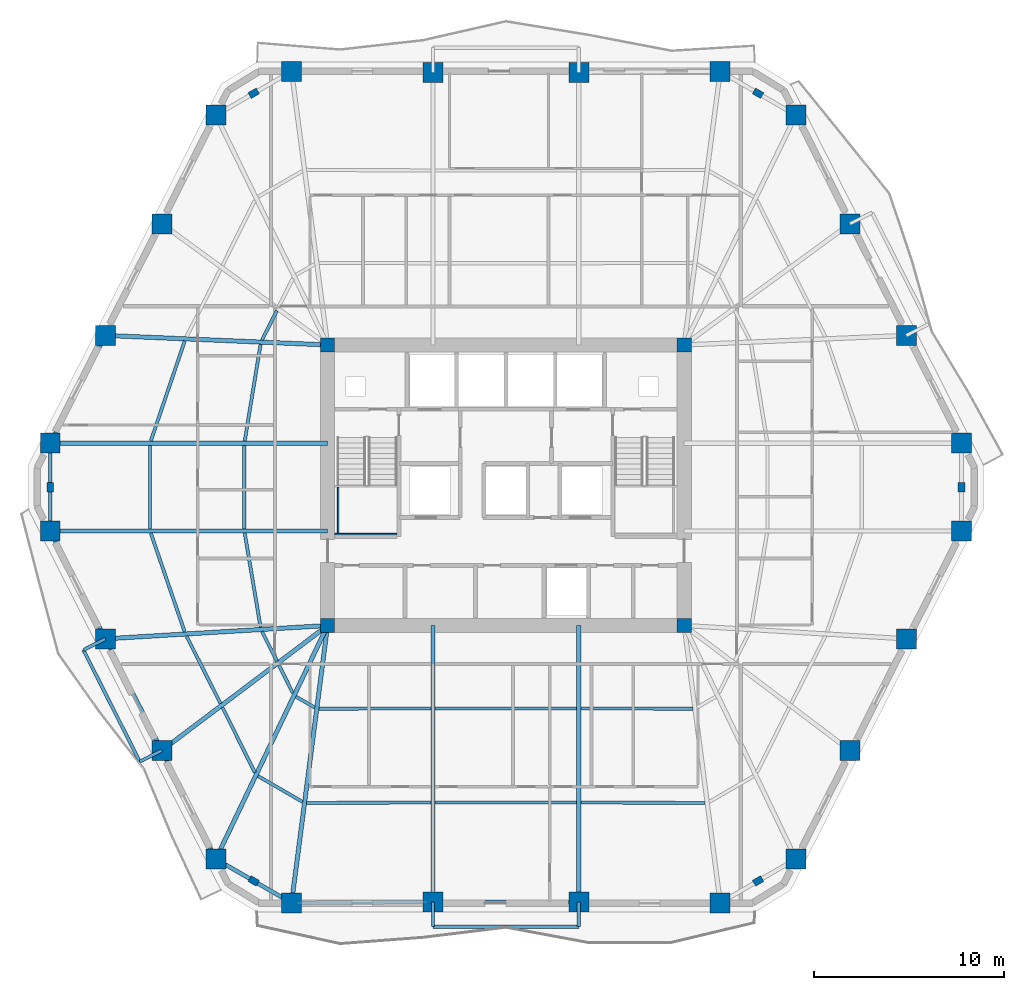
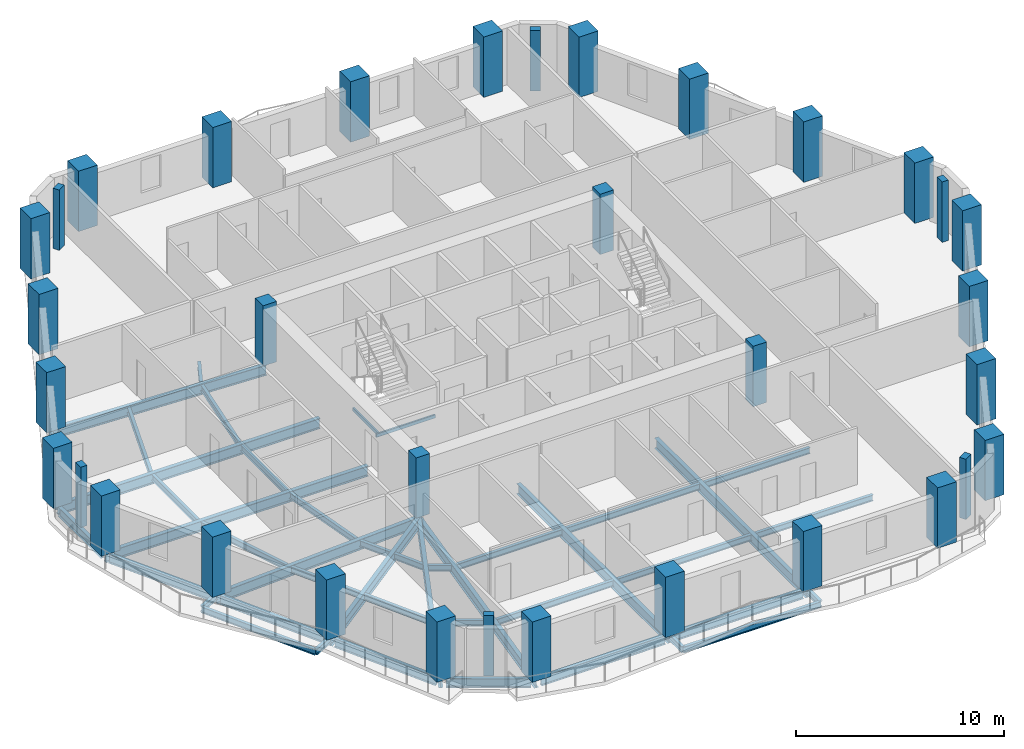
# One storey, part 1 of 11: 44 beams, 34 columns.
"""IFC4 building model written with IfcOpenShell, lengths in metres."""

from ifc_helpers import new_model, si_unit, direction, frame, origin, origin_2d, place, context, subcontext, project, spatial, rectangle, hollow_rectangle, i_section, extrude, material, material_profile, profile_set, type_object, element, save


model = new_model("IFC4")

# Units and contexts
model_context = context("Model", 3, precision=1e-05, world=origin(), true_north=direction((0.0, 1.0)))
body_context = subcontext(model_context, "Body", "Model", "MODEL_VIEW")
ifc_project = project(units=[si_unit("LENGTHUNIT", "METRE"), si_unit("AREAUNIT", "SQUARE_METRE"), si_unit("VOLUMEUNIT", "CUBIC_METRE"), si_unit("PLANEANGLEUNIT", "RADIAN"), si_unit("MASSUNIT", "GRAM", prefix="KILO")], contexts=[model_context])

# Site, building, storey
site_placement = place(None, origin())
site = spatial("IfcSite", under=ifc_project, at=site_placement, CompositionType="ELEMENT")
building_placement = place(site_placement, origin())
building = spatial("IfcBuilding", under=site, at=building_placement, Name="Cinnabar Lancet Tower", CompositionType="ELEMENT")
storey_placement = place(building_placement, frame((0.0, 0.0, 130.35009765625)))
storey = spatial("IfcBuildingStorey", under=building, at=storey_placement, Name="L34", CompositionType="ELEMENT", Elevation=130.35009765625)

# Columns
ifc_material_1 = material(Name="Concrete C70/85", Category="concrete")
ifc_material_profile_1 = material_profile(ifc_material_1, rectangle(XDim=0.75, YDim=0.75, at=origin_2d()), Name="RC-COL 750x750")
ifc_profile_set_1 = profile_set([ifc_material_profile_1], Name="Concrete C70/85")
column_type_1 = type_object("IfcColumnType", Name="STR-COL-CORE-750", PredefinedType="COLUMN", material=ifc_profile_set_1)
for number, where, z_axis, x_axis, name in (
    (1, (23.02490234375, 18.52490234375, 0.0), (0.0, 0.0, 1.0), (1.0, 0.0, 0.0), "L34 Core Corner Column SW"),
    (2, (41.77490234375, 18.52490234375, 0.0), (0.0, 0.0, 1.0), (1.0, 0.0, 0.0), "L34 Core Corner Column SE"),
    (3, (41.77490234375, 33.27490234375, 0.0), (0.0, 0.0, 1.0), (1.0, 0.0, 0.0), "L34 Core Corner Column NE"),
    (4, (23.02490234375, 33.27490234375, 0.0), (0.0, 0.0, 1.0), (1.0, 0.0, 0.0), "L34 Core Corner Column NW"),
):
    element("IfcColumn", number, at=place(storey_placement, frame(where, z_axis=z_axis, x_axis=x_axis)), inside=storey, type_object=column_type_1, Name=name, PredefinedType="COLUMN", context=body_context, shape_type="SweptSolid", body=[
        extrude(rectangle(XDim=0.75, YDim=0.75, at=origin_2d()), origin(), (0.0, 0.0, 1.0), 3.5498046875),
    ])
ifc_material_2 = material(Name="Concrete C60/75", Category="concrete")
ifc_material_profile_2 = material_profile(ifc_material_2, rectangle(XDim=0.5, YDim=0.35009765625, at=origin_2d()), Name="RC-PIL 500x350")
ifc_profile_set_2 = profile_set([ifc_material_profile_2], Name="Concrete C60/75")
column_type_2 = type_object("IfcColumnType", Name="STR-COL-PIL-500", PredefinedType="PILASTER", material=ifc_profile_set_2)
for number, where, z_axis, x_axis, name in (
    (5, (19.14111328125, 5.093017578125, 0.0), (0.0, 0.0, 1.0), (0.865160173452, -0.501495637342, 0.0), "L34 Chamfered Corner Pilaster 1"),
    (6, (45.658935546875, 5.093017578125, 0.0), (0.0, 0.0, 1.0), (0.865160173452, 0.501495637342, 0.0), "L34 Chamfered Corner Pilaster 2"),
    (7, (56.35693359375, 25.800048828125, 0.0), (0.0, 0.0, 1.0), (0.0, 1.0, 0.0), "L34 Chamfered Corner Pilaster 3"),
    (8, (45.658935546875, 46.508056640625, 0.0), (0.0, 0.0, 1.0), (-0.865160173452, 0.501495637342, 0.0), "L34 Chamfered Corner Pilaster 4"),
    (9, (19.14111328125, 46.508056640625, 0.0), (0.0, 0.0, 1.0), (-0.865160173452, -0.501495637342, 0.0), "L34 Chamfered Corner Pilaster 5"),
    (10, (8.443115234375, 25.800048828125, 0.0), (0.0, 0.0, 1.0), (0.0, -1.0, 0.0), "L34 Chamfered Corner Pilaster 6"),
):
    element("IfcColumn", number, at=place(storey_placement, frame(where, z_axis=z_axis, x_axis=x_axis)), inside=storey, type_object=column_type_2, Name=name, PredefinedType="PILASTER", context=body_context, shape_type="SweptSolid", body=[
        extrude(rectangle(XDim=0.5, YDim=0.35009765625, at=origin_2d()), origin(), (0.0, 0.0, 1.0), 3.5498046875),
    ])
ifc_material_3 = material(Name="Concrete C70/85", Category="concrete")
ifc_material_profile_3 = material_profile(ifc_material_3, rectangle(XDim=1.050048828125, YDim=1.050048828125, at=origin_2d()), Name="RC-COL 1050x1050")
ifc_profile_set_3 = profile_set([ifc_material_profile_3], Name="Concrete C70/85")
column_type_3 = type_object("IfcColumnType", Name="STR-COL-TUBE-1050", PredefinedType="COLUMN", material=ifc_profile_set_3)
for number, where, z_axis, x_axis, name in (
    (11, (21.131103515625, 3.93896484375, 0.0), (0.0, 0.0, 1.0), (1.0, 0.0, 0.0), "L34 Perimeter Tube Column 1"),
    (12, (28.568115234375, 3.991943359375, 0.0), (0.0, 0.0, 1.0), (1.0, 0.0, 0.0), "L34 Perimeter Tube Column 2"),
    (13, (36.23193359375, 3.991943359375, 0.0), (0.0, 0.0, 1.0), (1.0, 0.0, 0.0), "L34 Perimeter Tube Column 3"),
    (14, (43.6689453125, 3.93896484375, 0.0), (0.0, 0.0, 1.0), (1.0, 0.0, 0.0), "L34 Perimeter Tube Column 4"),
    (15, (47.64892578125, 6.24609375, 0.0), (0.0, 0.0, 1.0), (1.0, 0.0, 0.0), "L34 Perimeter Tube Column 5"),
    (16, (50.489013671875, 11.955078125, 0.0), (0.0, 0.0, 1.0), (1.0, 0.0, 0.0), "L34 Perimeter Tube Column 6"),
    (17, (53.451904296875, 17.823974609375, 0.0), (0.0, 0.0, 1.0), (1.0, 0.0, 0.0), "L34 Perimeter Tube Column 7"),
    (18, (56.35693359375, 23.490966796875, 0.0), (0.0, 0.0, 1.0), (1.0, 0.0, 0.0), "L34 Perimeter Tube Column 8"),
    (19, (56.35693359375, 28.10888671875, 0.0), (0.0, 0.0, 1.0), (1.0, 0.0, 0.0), "L34 Perimeter Tube Column 9"),
    (20, (53.451904296875, 33.77587890625, 0.0), (0.0, 0.0, 1.0), (1.0, 0.0, 0.0), "L34 Perimeter Tube Column 10"),
    (21, (50.489013671875, 39.64501953125, 0.0), (0.0, 0.0, 1.0), (1.0, 0.0, 0.0), "L34 Perimeter Tube Column 11"),
    (22, (47.64892578125, 45.35400390625, 0.0), (0.0, 0.0, 1.0), (1.0, 0.0, 0.0), "L34 Perimeter Tube Column 12"),
    (23, (43.6689453125, 47.660888671875, 0.0), (0.0, 0.0, 1.0), (1.0, 0.0, 0.0), "L34 Perimeter Tube Column 13"),
    (24, (36.23193359375, 47.60791015625, 0.0), (0.0, 0.0, 1.0), (1.0, 0.0, 0.0), "L34 Perimeter Tube Column 14"),
    (25, (28.568115234375, 47.60791015625, 0.0), (0.0, 0.0, 1.0), (1.0, 0.0, 0.0), "L34 Perimeter Tube Column 15"),
    (26, (21.131103515625, 47.660888671875, 0.0), (0.0, 0.0, 1.0), (1.0, 0.0, 0.0), "L34 Perimeter Tube Column 16"),
    (27, (17.15087890625, 45.35400390625, 0.0), (0.0, 0.0, 1.0), (1.0, 0.0, 0.0), "L34 Perimeter Tube Column 17"),
    (28, (14.31103515625, 39.64501953125, 0.0), (0.0, 0.0, 1.0), (1.0, 0.0, 0.0), "L34 Perimeter Tube Column 18"),
    (29, (11.347900390625, 33.77587890625, 0.0), (0.0, 0.0, 1.0), (1.0, 0.0, 0.0), "L34 Perimeter Tube Column 19"),
    (30, (8.443115234375, 28.10888671875, 0.0), (0.0, 0.0, 1.0), (1.0, 0.0, 0.0), "L34 Perimeter Tube Column 20"),
    (31, (8.443115234375, 23.490966796875, 0.0), (0.0, 0.0, 1.0), (1.0, 0.0, 0.0), "L34 Perimeter Tube Column 21"),
    (32, (11.347900390625, 17.823974609375, 0.0), (0.0, 0.0, 1.0), (1.0, 0.0, 0.0), "L34 Perimeter Tube Column 22"),
    (33, (14.31103515625, 11.955078125, 0.0), (0.0, 0.0, 1.0), (1.0, 0.0, 0.0), "L34 Perimeter Tube Column 23"),
    (34, (17.15087890625, 6.24609375, 0.0), (0.0, 0.0, 1.0), (1.0, 0.0, 0.0), "L34 Perimeter Tube Column 24"),
):
    element("IfcColumn", number, at=place(storey_placement, frame(where, z_axis=z_axis, x_axis=x_axis)), inside=storey, type_object=column_type_3, Name=name, PredefinedType="COLUMN", context=body_context, shape_type="SweptSolid", body=[
        extrude(rectangle(XDim=1.050048828125, YDim=1.050048828125, at=origin_2d()), origin(), (0.0, 0.0, 1.0), 3.5498046875),
    ])

# Beams
ifc_material_4 = material(Name="Structural steel S355", Category="steel")
ifc_material_profile_4 = material_profile(ifc_material_4, i_section(OverallWidth=0.17138671875, OverallDepth=0.35498046875, WebThickness=0.00732421875, FlangeThickness=0.011474609375, FilletRadius=0.01025390625, at=origin_2d()), Name="UKB 356x171x51")
ifc_profile_set_4 = profile_set([ifc_material_profile_4], Name="Structural steel S355")
beam_type_1 = type_object("IfcBeamType", Name="STR-BM-JST-356", PredefinedType="JOIST", material=ifc_profile_set_4)
beam_1_placement = place(storey_placement, frame((13.73193359375, 23.376953125, -0.38818359375), z_axis=(0.324639458548, -0.945837841257, 0.0), x_axis=(0.945837841257, 0.324639458548, 0.0)))
element("IfcBeam", 35, at=beam_1_placement, inside=storey, type_object=beam_type_1, Name="L34 Secondary Floor Joist 1", PredefinedType="JOIST", context=body_context, shape_type="SweptSolid", body=[
    extrude(i_section(OverallWidth=0.17138671875, OverallDepth=0.35498046875, WebThickness=0.00732421875, FlangeThickness=0.011474609375, FilletRadius=0.01025390625, at=origin_2d()), origin(), (0.0, 0.0, 1.0), 5.486083984375),
])
beam_2_placement = place(storey_placement, frame((18.669921875, 23.376953125, -0.38818359375), z_axis=(0.165984412241, -0.986128376477, 0.0), x_axis=(0.986128376477, 0.165984412241, 0.0)))
element("IfcBeam", 36, at=beam_2_placement, inside=storey, type_object=beam_type_1, Name="L34 Secondary Floor Joist 2", PredefinedType="JOIST", context=body_context, shape_type="SweptSolid", body=[
    extrude(i_section(OverallWidth=0.17138671875, OverallDepth=0.35498046875, WebThickness=0.00732421875, FlangeThickness=0.011474609375, FilletRadius=0.01025390625, at=origin_2d()), origin(), (0.0, 0.0, 1.0), 5.0185546875),
])
beam_3_placement = place(storey_placement, frame((15.60791015625, 17.965087890625, -0.38818359375), z_axis=(0.450755070916, -0.892647671841, 0.0), x_axis=(0.892647671841, 0.450755070916, 0.0)))
element("IfcBeam", 37, at=beam_3_placement, inside=storey, type_object=beam_type_1, Name="L34 Secondary Floor Joist 3", PredefinedType="JOIST", context=body_context, shape_type="SweptSolid", body=[
    extrude(i_section(OverallWidth=0.17138671875, OverallDepth=0.35498046875, WebThickness=0.00732421875, FlangeThickness=0.011474609375, FilletRadius=0.01025390625, at=origin_2d()), origin(), (0.0, 0.0, 1.0), 3.966796875),
])
beam_4_placement = place(storey_placement, frame((19.577880859375, 18.2041015625, -0.38818359375), z_axis=(0.450874341268, -0.892587434589, 0.0), x_axis=(0.892587434589, 0.450874341268, 0.0)))
element("IfcBeam", 38, at=beam_4_placement, inside=storey, type_object=beam_type_1, Name="L34 Secondary Floor Joist 4", PredefinedType="JOIST", context=body_context, shape_type="SweptSolid", body=[
    extrude(i_section(OverallWidth=0.17138671875, OverallDepth=0.35498046875, WebThickness=0.00732421875, FlangeThickness=0.011474609375, FilletRadius=0.01025390625, at=origin_2d()), origin(), (0.0, 0.0, 1.0), 1.732177734375),
])
beam_5_placement = place(storey_placement, frame((17.5, 14.216064453125, -0.38818359375), z_axis=(0.445295120803, -0.895383859241, 0.0), x_axis=(0.895383859241, 0.445295120803, 0.0)))
element("IfcBeam", 39, at=beam_5_placement, inside=storey, type_object=beam_type_1, Name="L34 Secondary Floor Joist 5", PredefinedType="JOIST", context=body_context, shape_type="SweptSolid", body=[
    extrude(i_section(OverallWidth=0.17138671875, OverallDepth=0.35498046875, WebThickness=0.00732421875, FlangeThickness=0.011474609375, FilletRadius=0.01025390625, at=origin_2d()), origin(), (0.0, 0.0, 1.0), 3.81982421875),
])
beam_6_placement = place(storey_placement, frame((20.4619140625, 16.449951171875, -0.38818359375), z_axis=(0.445557690111, -0.895253229418, 0.0), x_axis=(0.895253229418, 0.445557690111, 0.0)))
element("IfcBeam", 40, at=beam_6_placement, inside=storey, type_object=beam_type_1, Name="L34 Secondary Floor Joist 6", PredefinedType="JOIST", context=body_context, shape_type="SweptSolid", body=[
    extrude(i_section(OverallWidth=0.17138671875, OverallDepth=0.35498046875, WebThickness=0.00732421875, FlangeThickness=0.011474609375, FilletRadius=0.01025390625, at=origin_2d()), origin(), (0.0, 0.0, 1.0), 1.652099609375),
])
beam_7_placement = place(storey_placement, frame((19.364990234375, 10.60888671875, -0.38818359375), z_axis=(0.865172906898, -0.501473669469, 0.0), x_axis=(0.501473669469, 0.865172906898, 0.0)))
element("IfcBeam", 41, at=beam_7_placement, inside=storey, type_object=beam_type_1, Name="L34 Secondary Floor Joist 7", PredefinedType="JOIST", context=body_context, shape_type="SweptSolid", body=[
    extrude(i_section(OverallWidth=0.17138671875, OverallDepth=0.35498046875, WebThickness=0.00732421875, FlangeThickness=0.011474609375, FilletRadius=0.01025390625, at=origin_2d()), origin(), (0.0, 0.0, 1.0), 2.705810546875),
])
beam_8_placement = place(storey_placement, frame((21.362060546875, 14.783935546875, -0.38818359375), z_axis=(0.865055308165, -0.501676503154, 0.0), x_axis=(0.501676503154, 0.865055308165, 0.0)))
element("IfcBeam", 42, at=beam_8_placement, inside=storey, type_object=beam_type_1, Name="L34 Secondary Floor Joist 8", PredefinedType="JOIST", context=body_context, shape_type="SweptSolid", body=[
    extrude(i_section(OverallWidth=0.17138671875, OverallDepth=0.35498046875, WebThickness=0.00732421875, FlangeThickness=0.011474609375, FilletRadius=0.01025390625, at=origin_2d()), origin(), (0.0, 0.0, 1.0), 1.14208984375),
])
beam_9_placement = place(storey_placement, frame((21.927978515625, 9.19091796875, -0.38818359375), z_axis=(0.999987991898, 0.004900618269, 0.0), x_axis=(-0.004900618269, 0.999987991898, 0.0)))
element("IfcBeam", 43, at=beam_9_placement, inside=storey, type_object=beam_type_1, Name="L34 Secondary Floor Joist 9", PredefinedType="JOIST", context=body_context, shape_type="SweptSolid", body=[
    extrude(i_section(OverallWidth=0.17138671875, OverallDepth=0.35498046875, WebThickness=0.00732421875, FlangeThickness=0.011474609375, FilletRadius=0.01025390625, at=origin_2d()), origin(), (0.0, 0.0, 1.0), 6.526123046875),
])
beam_10_placement = place(storey_placement, frame((22.572021484375, 14.14892578125, -0.38818359375), z_axis=(0.999996247906, 0.002739374605, 0.0), x_axis=(-0.002739374605, 0.999996247906, 0.0)))
element("IfcBeam", 44, at=beam_10_placement, inside=storey, type_object=beam_type_1, Name="L34 Secondary Floor Joist 10", PredefinedType="JOIST", context=body_context, shape_type="SweptSolid", body=[
    extrude(i_section(OverallWidth=0.17138671875, OverallDepth=0.35498046875, WebThickness=0.00732421875, FlangeThickness=0.011474609375, FilletRadius=0.01025390625, at=origin_2d()), origin(), (0.0, 0.0, 1.0), 5.882080078125),
])
for number, where, z_axis, x_axis, name in (
    (45, (28.681884765625, 9.22412109375, -0.38818359375), (1.0, 0.0, 0.0), (0.0, 1.0, 0.0), "L34 Secondary Floor Joist 11"),
    (46, (28.681884765625, 14.1650390625, -0.38818359375), (1.0, 0.0, 0.0), (0.0, 1.0, 0.0), "L34 Secondary Floor Joist 12"),
):
    element("IfcBeam", number, at=place(storey_placement, frame(where, z_axis=z_axis, x_axis=x_axis)), inside=storey, type_object=beam_type_1, Name=name, PredefinedType="JOIST", context=body_context, shape_type="SweptSolid", body=[
        extrude(i_section(OverallWidth=0.17138671875, OverallDepth=0.35498046875, WebThickness=0.00732421875, FlangeThickness=0.011474609375, FilletRadius=0.01025390625, at=origin_2d()), origin(), (0.0, 0.0, 1.0), 7.43603515625),
    ])
beam_11_placement = place(storey_placement, frame((36.345947265625, 9.222900390625, -0.38818359375), z_axis=(0.999987991898, -0.004900618269, 0.0), x_axis=(0.004900618269, 0.999987991898, 0.0)))
element("IfcBeam", 47, at=beam_11_placement, inside=storey, type_object=beam_type_1, Name="L34 Secondary Floor Joist 13", PredefinedType="JOIST", context=body_context, shape_type="SweptSolid", body=[
    extrude(i_section(OverallWidth=0.17138671875, OverallDepth=0.35498046875, WebThickness=0.00732421875, FlangeThickness=0.011474609375, FilletRadius=0.01025390625, at=origin_2d()), origin(), (0.0, 0.0, 1.0), 6.526123046875),
])
beam_12_placement = place(storey_placement, frame((36.345947265625, 14.1650390625, -0.38818359375), z_axis=(0.999996247906, -0.002739374605, 0.0), x_axis=(0.002739374605, 0.999996247906, 0.0)))
element("IfcBeam", 48, at=beam_12_placement, inside=storey, type_object=beam_type_1, Name="L34 Secondary Floor Joist 14", PredefinedType="JOIST", context=body_context, shape_type="SweptSolid", body=[
    extrude(i_section(OverallWidth=0.17138671875, OverallDepth=0.35498046875, WebThickness=0.00732421875, FlangeThickness=0.011474609375, FilletRadius=0.01025390625, at=origin_2d()), origin(), (0.0, 0.0, 1.0), 5.882080078125),
])
beam_13_placement = place(storey_placement, frame((20.35888671875, 35.0830078125, -0.38818359375), z_axis=(-0.450931068976, -0.892558777354, 0.0), x_axis=(0.892558777354, -0.450931068976, 0.0)))
element("IfcBeam", 49, at=beam_13_placement, inside=storey, type_object=beam_type_1, Name="L34 Secondary Floor Joist 44", PredefinedType="JOIST", context=body_context, shape_type="SweptSolid", body=[
    extrude(i_section(OverallWidth=0.17138671875, OverallDepth=0.35498046875, WebThickness=0.00732421875, FlangeThickness=0.011474609375, FilletRadius=0.01025390625, at=origin_2d()), origin(), (0.0, 0.0, 1.0), 1.73193359375),
])
beam_14_placement = place(storey_placement, frame((15.513916015625, 33.48291015625, -0.38818359375), z_axis=(-0.321023911172, -0.947071089442, 0.0), x_axis=(0.947071089442, -0.321023911172, 0.0)))
element("IfcBeam", 50, at=beam_14_placement, inside=storey, type_object=beam_type_1, Name="L34 Secondary Floor Joist 45", PredefinedType="JOIST", context=body_context, shape_type="SweptSolid", body=[
    extrude(i_section(OverallWidth=0.17138671875, OverallDepth=0.35498046875, WebThickness=0.00732421875, FlangeThickness=0.011474609375, FilletRadius=0.01025390625, at=origin_2d()), origin(), (0.0, 0.0, 1.0), 5.553955078125),
])
beam_15_placement = place(storey_placement, frame((19.5029296875, 33.31201171875, -0.38818359375), z_axis=(-0.161719098977, -0.986836832017, 0.0), x_axis=(0.986836832017, -0.161719098977, 0.0)))
element("IfcBeam", 51, at=beam_15_placement, inside=storey, type_object=beam_type_1, Name="L34 Secondary Floor Joist 46", PredefinedType="JOIST", context=body_context, shape_type="SweptSolid", body=[
    extrude(i_section(OverallWidth=0.17138671875, OverallDepth=0.35498046875, WebThickness=0.00732421875, FlangeThickness=0.011474609375, FilletRadius=0.01025390625, at=origin_2d()), origin(), (0.0, 0.0, 1.0), 5.156982421875),
])
for number, where, z_axis, x_axis, name in (
    (52, (13.693115234375, 27.9951171875, -0.38818359375), (0.0, -1.0, 0.0), (1.0, 0.0, 0.0), "L34 Secondary Floor Joist 47"),
    (53, (18.64990234375, 27.9951171875, -0.38818359375), (0.0, -1.0, 0.0), (1.0, 0.0, 0.0), "L34 Secondary Floor Joist 48"),
):
    element("IfcBeam", number, at=place(storey_placement, frame(where, z_axis=z_axis, x_axis=x_axis)), inside=storey, type_object=beam_type_1, Name=name, PredefinedType="JOIST", context=body_context, shape_type="SweptSolid", body=[
        extrude(i_section(OverallWidth=0.17138671875, OverallDepth=0.35498046875, WebThickness=0.00732421875, FlangeThickness=0.011474609375, FilletRadius=0.01025390625, at=origin_2d()), origin(), (0.0, 0.0, 1.0), 4.39013671875),
    ])
ifc_material_5 = material(Name="Structural steel S355", Category="steel")
ifc_material_profile_5 = material_profile(ifc_material_5, hollow_rectangle(XDim=0.10009765625, YDim=0.199951171875, WallThickness=0.008056640625, InnerFilletRadius=0.00390625, OuterFilletRadius=0.011962890625, at=origin_2d()), Name="RHS 200x100x8")
ifc_profile_set_5 = profile_set([ifc_material_profile_5], Name="Structural steel S355")
beam_type_2 = type_object("IfcBeamType", Name="STR-BM-LND-203", PredefinedType="BEAM", material=ifc_profile_set_5)
beam_16_placement = place(storey_placement, frame((23.39990234375, 23.330078125, 1.474853515625), z_axis=(1.0, 0.0, 0.0), x_axis=(0.0, 1.0, 0.0)))
element("IfcBeam", 54, at=beam_16_placement, inside=storey, type_object=beam_type_2, Name="L34 ST-1-L34 Landing Support Beam S", PredefinedType="BEAM", context=body_context, shape_type="SweptSolid", body=[
    extrude(hollow_rectangle(XDim=0.10009765625, YDim=0.199951171875, WallThickness=0.008056640625, InnerFilletRadius=0.00390625, OuterFilletRadius=0.011962890625, at=origin_2d()), origin(), (0.0, 0.0, 1.0), 3.280029296875),
])
beam_17_placement = place(storey_placement, frame((23.580078125, 23.3798828125, 1.474853515625), z_axis=(0.0, 1.0, 0.0), x_axis=(-1.0, 0.0, 0.0)))
element("IfcBeam", 55, at=beam_17_placement, inside=storey, type_object=beam_type_2, Name="L34 ST-1-L34 Landing Side Trimmer Beam", PredefinedType="BEAM", context=body_context, shape_type="SweptSolid", body=[
    extrude(hollow_rectangle(XDim=0.10009765625, YDim=0.199951171875, WallThickness=0.008056640625, InnerFilletRadius=0.00390625, OuterFilletRadius=0.011962890625, at=origin_2d()), origin(), (0.0, 0.0, 1.0), 2.4150390625),
])
ifc_material_6 = material(Name="Structural steel S355", Category="steel")
ifc_material_profile_6 = material_profile(ifc_material_6, i_section(OverallWidth=0.209228515625, OverallDepth=0.533203125, WebThickness=0.010009765625, FlangeThickness=0.015625, FilletRadius=0.0126953125, at=origin_2d()), Name="UKB 533x210x92")
ifc_profile_set_6 = profile_set([ifc_material_profile_6], Name="Structural steel S355")
beam_type_3 = type_object("IfcBeamType", Name="STR-BM-SPN-533", PredefinedType="SPANDREL", material=ifc_profile_set_6)
beam_18_placement = place(storey_placement, frame((21.381103515625, 3.94091796875, -0.47705078125), z_axis=(0.999974980359, 0.007073800628, 0.0), x_axis=(-0.007073800628, 0.999974980359, 0.0)))
element("IfcBeam", 56, at=beam_18_placement, inside=storey, type_object=beam_type_3, Name="L34 Perimeter Spandrel 1", PredefinedType="SPANDREL", context=body_context, shape_type="SweptSolid", body=[
    extrude(i_section(OverallWidth=0.209228515625, OverallDepth=0.533203125, WebThickness=0.010009765625, FlangeThickness=0.015625, FilletRadius=0.0126953125, at=origin_2d()), origin(), (0.0, 0.0, 1.0), 6.937255859375),
])
beam_19_placement = place(storey_placement, frame((28.818115234375, 3.991943359375, -0.47705078125), z_axis=(1.0, 0.0, 0.0), x_axis=(0.0, 1.0, 0.0)))
element("IfcBeam", 57, at=beam_19_placement, inside=storey, type_object=beam_type_3, Name="L34 Perimeter Spandrel 2", PredefinedType="SPANDREL", context=body_context, shape_type="SweptSolid", body=[
    extrude(i_section(OverallWidth=0.209228515625, OverallDepth=0.533203125, WebThickness=0.010009765625, FlangeThickness=0.015625, FilletRadius=0.0126953125, at=origin_2d()), origin(), (0.0, 0.0, 1.0), 7.163818359375),
])
beam_20_placement = place(storey_placement, frame((11.23388671875, 33.553955078125, -0.47705078125), z_axis=(-0.456126618405, -0.889914888055, 0.0), x_axis=(0.889914888055, -0.456126618405, 0.0)))
element("IfcBeam", 58, at=beam_20_placement, inside=storey, type_object=beam_type_3, Name="L34 Perimeter Spandrel 19", PredefinedType="SPANDREL", context=body_context, shape_type="SweptSolid", body=[
    extrude(i_section(OverallWidth=0.209228515625, OverallDepth=0.533203125, WebThickness=0.010009765625, FlangeThickness=0.015625, FilletRadius=0.0126953125, at=origin_2d()), origin(), (0.0, 0.0, 1.0), 5.868896484375),
])
beam_21_placement = place(storey_placement, frame((8.443115234375, 27.85888671875, -0.47705078125), z_axis=(0.0, -1.0, 0.0), x_axis=(1.0, 0.0, 0.0)))
element("IfcBeam", 59, at=beam_21_placement, inside=storey, type_object=beam_type_3, Name="L34 Perimeter Spandrel 20", PredefinedType="SPANDREL", context=body_context, shape_type="SweptSolid", body=[
    extrude(i_section(OverallWidth=0.209228515625, OverallDepth=0.533203125, WebThickness=0.010009765625, FlangeThickness=0.015625, FilletRadius=0.0126953125, at=origin_2d()), origin(), (0.0, 0.0, 1.0), 4.117919921875),
])
beam_22_placement = place(storey_placement, frame((8.556884765625, 23.26904296875, -0.47705078125), z_axis=(0.456109733574, -0.889923542187, 0.0), x_axis=(0.889923542187, 0.456109733574, 0.0)))
element("IfcBeam", 60, at=beam_22_placement, inside=storey, type_object=beam_type_3, Name="L34 Perimeter Spandrel 21", PredefinedType="SPANDREL", context=body_context, shape_type="SweptSolid", body=[
    extrude(i_section(OverallWidth=0.209228515625, OverallDepth=0.533203125, WebThickness=0.010009765625, FlangeThickness=0.015625, FilletRadius=0.0126953125, at=origin_2d()), origin(), (0.0, 0.0, 1.0), 5.869140625),
])
beam_23_placement = place(storey_placement, frame((11.4609375, 17.60107421875, -0.47705078125), z_axis=(0.450570325924, -0.892740937449, 0.0), x_axis=(0.892740937449, 0.450570325924, 0.0)))
element("IfcBeam", 61, at=beam_23_placement, inside=storey, type_object=beam_type_3, Name="L34 Perimeter Spandrel 22", PredefinedType="SPANDREL", context=body_context, shape_type="SweptSolid", body=[
    extrude(i_section(OverallWidth=0.209228515625, OverallDepth=0.533203125, WebThickness=0.010009765625, FlangeThickness=0.015625, FilletRadius=0.0126953125, at=origin_2d()), origin(), (0.0, 0.0, 1.0), 6.07470703125),
])
beam_24_placement = place(storey_placement, frame((14.422119140625, 11.73095703125, -0.47705078125), z_axis=(0.445501068635, -0.89528140707, 0.0), x_axis=(0.89528140707, 0.445501068635, 0.0)))
element("IfcBeam", 62, at=beam_24_placement, inside=storey, type_object=beam_type_3, Name="L34 Perimeter Spandrel 23", PredefinedType="SPANDREL", context=body_context, shape_type="SweptSolid", body=[
    extrude(i_section(OverallWidth=0.209228515625, OverallDepth=0.533203125, WebThickness=0.010009765625, FlangeThickness=0.015625, FilletRadius=0.0126953125, at=origin_2d()), origin(), (0.0, 0.0, 1.0), 5.87646484375),
])
beam_25_placement = place(storey_placement, frame((17.366943359375, 6.12109375, -0.47705078125), z_axis=(0.865112299906, -0.501578217781, 0.0), x_axis=(0.501578217781, 0.865112299906, 0.0)))
element("IfcBeam", 63, at=beam_25_placement, inside=storey, type_object=beam_type_3, Name="L34 Perimeter Spandrel 24", PredefinedType="SPANDREL", context=body_context, shape_type="SweptSolid", body=[
    extrude(i_section(OverallWidth=0.209228515625, OverallDepth=0.533203125, WebThickness=0.010009765625, FlangeThickness=0.015625, FilletRadius=0.0126953125, at=origin_2d()), origin(), (0.0, 0.0, 1.0), 4.101318359375),
])
ifc_material_7 = material(Name="Structural steel S355", Category="steel")
ifc_material_profile_7 = material_profile(ifc_material_7, i_section(OverallWidth=0.228271484375, OverallDepth=0.607666015625, WebThickness=0.010986328125, FlangeThickness=0.017333984375, FilletRadius=0.0126953125, at=origin_2d()), Name="UKB 610x229x113")
ifc_profile_set_7 = profile_set([ifc_material_profile_7], Name="Structural steel S355")
beam_type_4 = type_object("IfcBeamType", Name="STR-BM-UKB610-113", PredefinedType="BEAM", material=ifc_profile_set_7)
beam_26_placement = place(storey_placement, frame((14.31103515625, 11.955078125, -0.51416015625), z_axis=(0.798483350078, 0.602016893158, 0.0), x_axis=(-0.602016893158, 0.798483350078, 0.0)))
element("IfcBeam", 64, at=beam_26_placement, inside=storey, type_object=beam_type_4, Name="L34 Corner Collector Girder 1", PredefinedType="BEAM", context=body_context, shape_type="SweptSolid", body=[
    extrude(i_section(OverallWidth=0.228271484375, OverallDepth=0.607666015625, WebThickness=0.010986328125, FlangeThickness=0.017333984375, FilletRadius=0.0126953125, at=origin_2d()), origin(), (0.0, 0.0, 1.0), 10.9130859375),
])
beam_27_placement = place(storey_placement, frame((21.131103515625, 3.93896484375, -0.51416015625), z_axis=(0.128756570002, 0.991676230269, 0.0), x_axis=(-0.991676230269, 0.128756570002, 0.0)))
element("IfcBeam", 65, at=beam_27_placement, inside=storey, type_object=beam_type_4, Name="L34 Primary Floor Girder 1", PredefinedType="BEAM", context=body_context, shape_type="SweptSolid", body=[
    extrude(i_section(OverallWidth=0.228271484375, OverallDepth=0.607666015625, WebThickness=0.010986328125, FlangeThickness=0.017333984375, FilletRadius=0.0126953125, at=origin_2d()), origin(), (0.0, 0.0, 1.0), 14.708251953125),
])
for number, where, z_axis, x_axis, name in (
    (66, (28.568115234375, 3.991943359375, -0.51416015625), (0.0, 1.0, 0.0), (-1.0, 0.0, 0.0), "L34 Primary Floor Girder 2"),
    (67, (36.23193359375, 3.991943359375, -0.51416015625), (0.0, 1.0, 0.0), (-1.0, 0.0, 0.0), "L34 Primary Floor Girder 3"),
):
    element("IfcBeam", number, at=place(storey_placement, frame(where, z_axis=z_axis, x_axis=x_axis)), inside=storey, type_object=beam_type_4, Name=name, PredefinedType="BEAM", context=body_context, shape_type="SweptSolid", body=[
        extrude(i_section(OverallWidth=0.228271484375, OverallDepth=0.607666015625, WebThickness=0.010986328125, FlangeThickness=0.017333984375, FilletRadius=0.0126953125, at=origin_2d()), origin(), (0.0, 0.0, 1.0), 14.532958984375),
    ])
beam_28_placement = place(storey_placement, frame((11.347900390625, 33.77587890625, -0.51416015625), z_axis=(0.999080941658, -0.042863411158, 0.0), x_axis=(0.042863411158, 0.999080941658, 0.0)))
element("IfcBeam", 68, at=beam_28_placement, inside=storey, type_object=beam_type_4, Name="L34 Primary Floor Girder 19", PredefinedType="BEAM", context=body_context, shape_type="SweptSolid", body=[
    extrude(i_section(OverallWidth=0.228271484375, OverallDepth=0.607666015625, WebThickness=0.010986328125, FlangeThickness=0.017333984375, FilletRadius=0.0126953125, at=origin_2d()), origin(), (0.0, 0.0, 1.0), 11.687744140625),
])
for number, where, z_axis, x_axis, name in (
    (69, (8.443115234375, 28.10888671875, -0.51416015625), (1.0, 0.0, 0.0), (0.0, 1.0, 0.0), "L34 Primary Floor Girder 20"),
    (70, (8.443115234375, 23.490966796875, -0.51416015625), (1.0, 0.0, 0.0), (0.0, 1.0, 0.0), "L34 Primary Floor Girder 21"),
):
    element("IfcBeam", number, at=place(storey_placement, frame(where, z_axis=z_axis, x_axis=x_axis)), inside=storey, type_object=beam_type_4, Name=name, PredefinedType="BEAM", context=body_context, shape_type="SweptSolid", body=[
        extrude(i_section(OverallWidth=0.228271484375, OverallDepth=0.607666015625, WebThickness=0.010986328125, FlangeThickness=0.017333984375, FilletRadius=0.0126953125, at=origin_2d()), origin(), (0.0, 0.0, 1.0), 14.581787109375),
    ])
beam_29_placement = place(storey_placement, frame((11.347900390625, 17.823974609375, -0.51416015625), z_axis=(0.998203272991, 0.059918492897, 0.0), x_axis=(-0.059918492897, 0.998203272991, 0.0)))
element("IfcBeam", 71, at=beam_29_placement, inside=storey, type_object=beam_type_4, Name="L34 Primary Floor Girder 22", PredefinedType="BEAM", context=body_context, shape_type="SweptSolid", body=[
    extrude(i_section(OverallWidth=0.228271484375, OverallDepth=0.607666015625, WebThickness=0.010986328125, FlangeThickness=0.017333984375, FilletRadius=0.0126953125, at=origin_2d()), origin(), (0.0, 0.0, 1.0), 11.697998046875),
])
beam_30_placement = place(storey_placement, frame((17.15087890625, 6.24609375, -0.51416015625), z_axis=(0.431548156881, 0.902089900339, 0.0), x_axis=(-0.902089900339, 0.431548156881, 0.0)))
element("IfcBeam", 72, at=beam_30_placement, inside=storey, type_object=beam_type_4, Name="L34 Primary Floor Girder 24", PredefinedType="BEAM", context=body_context, shape_type="SweptSolid", body=[
    extrude(i_section(OverallWidth=0.228271484375, OverallDepth=0.607666015625, WebThickness=0.010986328125, FlangeThickness=0.017333984375, FilletRadius=0.0126953125, at=origin_2d()), origin(), (0.0, 0.0, 1.0), 13.611572265625),
])
ifc_material_8 = material(Name="Structural steel S355", Category="steel")
ifc_material_profile_8 = material_profile(ifc_material_8, i_section(OverallWidth=0.17138671875, OverallDepth=0.35498046875, WebThickness=0.00732421875, FlangeThickness=0.011474609375, FilletRadius=0.01025390625, at=origin_2d()), Name="UKB 356x171x51")
ifc_profile_set_8 = profile_set([ifc_material_profile_8], Name="Structural steel S355")
beam_type_5 = type_object("IfcBeamType", Name="STR-BM-WAV-OUT", PredefinedType="BEAM", material=ifc_profile_set_8)
for number, where, z_axis, x_axis, name in (
    (73, (28.568115234375, 3.991943359375, -0.398193359375), (0.0, -1.0, 0.0), (1.0, 0.0, 0.0), "L34 Face 1 Balcony Outlooker A"),
    (74, (36.23193359375, 3.991943359375, -0.398193359375), (0.0, -1.0, 0.0), (1.0, 0.0, 0.0), "L34 Face 1 Balcony Outlooker B"),
    (75, (11.347900390625, 17.823974609375, -0.398193359375), (-0.89227592947, -0.451490493464, 0.0), (0.451490493464, -0.89227592947, 0.0), "L34 Face 6 Balcony Outlooker A"),
):
    element("IfcBeam", number, at=place(storey_placement, frame(where, z_axis=z_axis, x_axis=x_axis)), inside=storey, type_object=beam_type_5, Name=name, PredefinedType="BEAM", context=body_context, shape_type="SweptSolid", body=[
        extrude(i_section(OverallWidth=0.17138671875, OverallDepth=0.35498046875, WebThickness=0.00732421875, FlangeThickness=0.011474609375, FilletRadius=0.01025390625, at=origin_2d()), origin(), (0.0, 0.0, 1.0), 1.300048828125),
    ])
beam_31_placement = place(storey_placement, frame((14.31103515625, 11.955078125, -0.398193359375), z_axis=(-0.892238560088, -0.451564338597, 0.0), x_axis=(0.451564338597, -0.892238560088, 0.0)))
element("IfcBeam", 76, at=beam_31_placement, inside=storey, type_object=beam_type_5, Name="L34 Face 6 Balcony Outlooker B", PredefinedType="BEAM", context=body_context, shape_type="SweptSolid", body=[
    extrude(i_section(OverallWidth=0.17138671875, OverallDepth=0.35498046875, WebThickness=0.00732421875, FlangeThickness=0.011474609375, FilletRadius=0.01025390625, at=origin_2d()), origin(), (0.0, 0.0, 1.0), 1.30029296875),
])
ifc_material_9 = material(Name="Structural steel S355", Category="steel")
ifc_material_profile_9 = material_profile(ifc_material_9, i_section(OverallWidth=0.17138671875, OverallDepth=0.35498046875, WebThickness=0.00732421875, FlangeThickness=0.011474609375, FilletRadius=0.01025390625, at=origin_2d()), Name="UKB 356x171x51")
ifc_profile_set_9 = profile_set([ifc_material_profile_9], Name="Structural steel S355")
beam_type_6 = type_object("IfcBeamType", Name="STR-BM-WAV-TRIM", PredefinedType="SPANDREL", material=ifc_profile_set_9)
beam_32_placement = place(storey_placement, frame((28.568115234375, 2.69189453125, -0.398193359375), z_axis=(1.0, 0.0, 0.0), x_axis=(0.0, 1.0, 0.0)))
element("IfcBeam", 77, at=beam_32_placement, inside=storey, type_object=beam_type_6, Name="L34 Face 1 Balcony Edge Trimmer", PredefinedType="SPANDREL", context=body_context, shape_type="SweptSolid", body=[
    extrude(i_section(OverallWidth=0.17138671875, OverallDepth=0.35498046875, WebThickness=0.00732421875, FlangeThickness=0.011474609375, FilletRadius=0.01025390625, at=origin_2d()), origin(), (0.0, 0.0, 1.0), 7.663818359375),
])
beam_33_placement = place(storey_placement, frame((10.18798828125, 17.237060546875, -0.398193359375), z_axis=(0.450656296771, -0.892697542385, 0.0), x_axis=(0.892697542385, 0.450656296771, 0.0)))
element("IfcBeam", 78, at=beam_33_placement, inside=storey, type_object=beam_type_6, Name="L34 Face 6 Balcony Edge Trimmer", PredefinedType="SPANDREL", context=body_context, shape_type="SweptSolid", body=[
    extrude(i_section(OverallWidth=0.17138671875, OverallDepth=0.35498046875, WebThickness=0.00732421875, FlangeThickness=0.011474609375, FilletRadius=0.01025390625, at=origin_2d()), origin(), (0.0, 0.0, 1.0), 6.57470703125),
])

save(model, "model.ifc")
